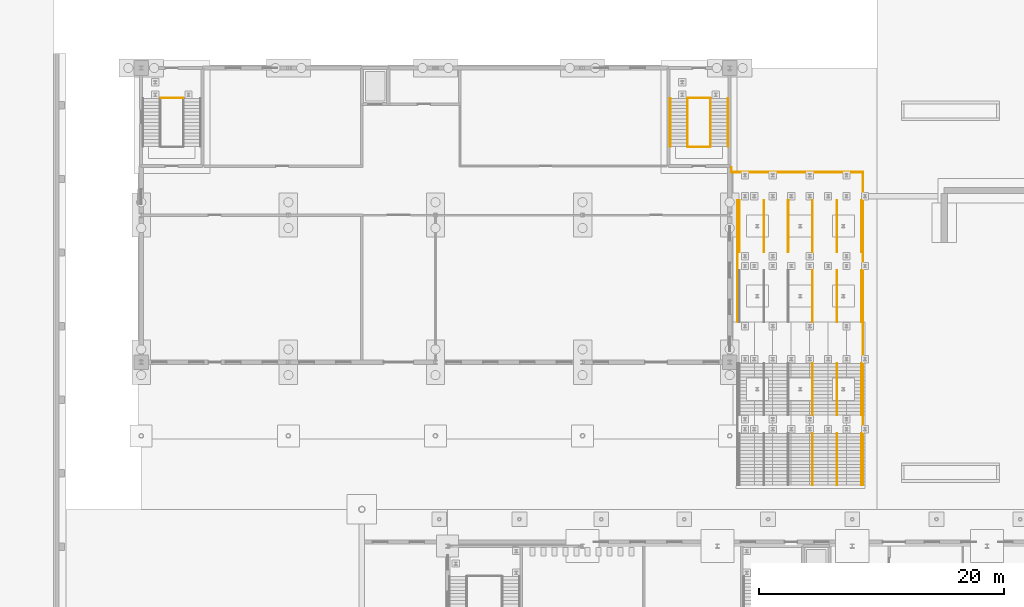
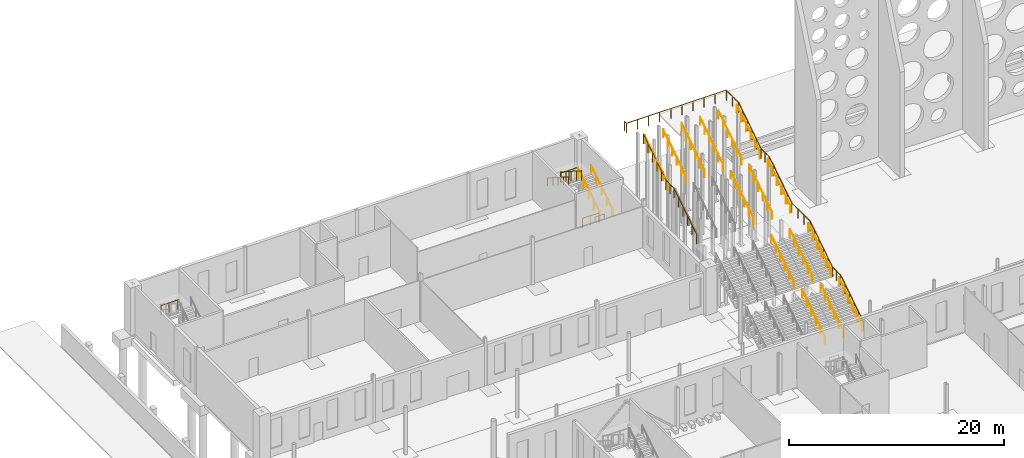
# One storey, part 126 of 132: 25 railings.
"""IFC4 building model written with IfcOpenShell, lengths in metres."""

from ifc_helpers import new_model, si_unit, direction, frame, origin, origin_2d, place, context, subcontext, project, spatial, circle, extrude, material, type_object, element, save


model = new_model("IFC4")

# Units and contexts
model_context = context("Model", 3, precision=1e-05, world=origin(), true_north=direction((0.0, 1.0)))
body_context = subcontext(model_context, "Body", "Model", "MODEL_VIEW")
ifc_project = project(units=[si_unit("LENGTHUNIT", "METRE"), si_unit("AREAUNIT", "SQUARE_METRE"), si_unit("VOLUMEUNIT", "CUBIC_METRE"), si_unit("PLANEANGLEUNIT", "RADIAN"), si_unit("MASSUNIT", "GRAM", prefix="KILO")], contexts=[model_context])

# Site, building, storey
site_placement = place(None, origin())
site = spatial("IfcSite", under=ifc_project, at=site_placement, CompositionType="ELEMENT")
building_placement = place(site_placement, origin())
building = spatial("IfcBuilding", under=site, at=building_placement, Name="Ravi Spectrum Wholesale Market", CompositionType="ELEMENT")
storey_placement = place(building_placement, origin())
storey = spatial("IfcBuildingStorey", under=building, at=storey_placement, Name="L00", CompositionType="ELEMENT", Elevation=0.0)

# Railings
ifc_material_1 = material(Name="Steel S355", Category="steel")
railing_type_1 = type_object("IfcRailingType", Name="Guard 1100", PredefinedType="GUARDRAIL", material=ifc_material_1)
railing_1_placement = place(storey_placement, frame((70.885009765625, 225.449951171875, 10.800048828125)))
element("IfcRailing", 1, at=railing_1_placement, inside=storey, type_object=railing_type_1, Name="GW-RL-L00-001", PredefinedType="GUARDRAIL", context=body_context, shape_type="SweptSolid", body=[
    extrude(circle(Radius=0.02392578125, at=origin_2d()), frame((0.0, 0.0, 1.076171875), z_axis=(0.0, -1.0, 0.0), x_axis=(1.0, 0.0, 0.0)), (0.0, 0.0, 1.0), 2.25),
    extrude(circle(Radius=0.02392578125, at=origin_2d()), frame((0.0, -2.25, 1.076171875), z_axis=(0.0, -0.841180064094, -0.540755119968), x_axis=(1.0, 0.0, 0.0)), (0.0, 0.0, 1.0), 4.992919921875),
    extrude(circle(Radius=0.02392578125, at=origin_2d()), frame((0.0, -6.449951171875, -1.6240234375), z_axis=(0.0, -1.0, 0.0), x_axis=(1.0, 0.0, 0.0)), (0.0, 0.0, 1.0), 1.5),
    extrude(circle(Radius=0.02392578125, at=origin_2d()), frame((0.0, -7.949951171875, -1.6240234375), z_axis=(0.0, -0.841157821942, -0.54078971753), x_axis=(1.0, 0.0, 0.0)), (0.0, 0.0, 1.0), 4.9931640625),
    extrude(circle(Radius=0.02392578125, at=origin_2d()), frame((0.0, -12.14990234375, -4.32421875), z_axis=(0.0, -1.0, 0.0), x_axis=(1.0, 0.0, 0.0)), (0.0, 0.0, 1.0), 3.400146484375),
    extrude(circle(Radius=0.02392578125, at=origin_2d()), frame((0.0, -15.550048828125, -4.32421875), z_axis=(0.0, -0.841180064094, -0.540755119968), x_axis=(1.0, 0.0, 0.0)), (0.0, 0.0, 1.0), 4.992919921875),
    extrude(circle(Radius=0.02392578125, at=origin_2d()), frame((0.0, -19.75, -7.02392578125), z_axis=(0.0, -1.0, 0.0), x_axis=(1.0, 0.0, 0.0)), (0.0, 0.0, 1.0), 1.5),
    extrude(circle(Radius=0.02392578125, at=origin_2d()), frame((0.0, -21.25, -7.02392578125), z_axis=(0.0, -0.841180064094, -0.540755119968), x_axis=(1.0, 0.0, 0.0)), (0.0, 0.0, 1.0), 4.992919921875),
    extrude(circle(Radius=0.02099609375, at=origin_2d()), origin(), (0.0, 0.0, 1.0), 1.052001953125),
    extrude(circle(Radius=0.02099609375, at=origin_2d()), frame((0.0, -1.125, 0.0)), (0.0, 0.0, 1.0), 1.052001953125),
    extrude(circle(Radius=0.02099609375, at=origin_2d()), frame((0.0, -2.25, 0.0)), (0.0, 0.0, 1.0), 1.052001953125),
    extrude(circle(Radius=0.02099609375, at=origin_2d()), frame((0.0, -3.090087890625, -0.5400390625)), (0.0, 0.0, 1.0), 1.052001953125),
    extrude(circle(Radius=0.02099609375, at=origin_2d()), frame((0.0, -3.929931640625, -1.080078125)), (0.0, 0.0, 1.0), 1.052001953125),
    extrude(circle(Radius=0.02099609375, at=origin_2d()), frame((0.0, -4.77001953125, -1.619873046875)), (0.0, 0.0, 1.0), 1.052001953125),
    extrude(circle(Radius=0.02099609375, at=origin_2d()), frame((0.0, -5.60986328125, -2.159912109375)), (0.0, 0.0, 1.0), 1.052001953125),
    extrude(circle(Radius=0.02099609375, at=origin_2d()), frame((0.0, -6.449951171875, -2.699951171875)), (0.0, 0.0, 1.0), 1.052001953125),
    extrude(circle(Radius=0.02099609375, at=origin_2d()), frame((0.0, -7.199951171875, -2.699951171875)), (0.0, 0.0, 1.0), 1.052001953125),
    extrude(circle(Radius=0.02099609375, at=origin_2d()), frame((0.0, -7.949951171875, -2.699951171875)), (0.0, 0.0, 1.0), 1.052001953125),
    extrude(circle(Radius=0.02099609375, at=origin_2d()), frame((0.0, -8.7900390625, -3.239990234375)), (0.0, 0.0, 1.0), 1.052001953125),
    extrude(circle(Radius=0.02099609375, at=origin_2d()), frame((0.0, -9.6298828125, -3.780029296875)), (0.0, 0.0, 1.0), 1.052001953125),
    extrude(circle(Radius=0.02099609375, at=origin_2d()), frame((0.0, -10.469970703125, -4.320068359375)), (0.0, 0.0, 1.0), 1.052001953125),
    extrude(circle(Radius=0.02099609375, at=origin_2d()), frame((0.0, -11.309814453125, -4.860107421875)), (0.0, 0.0, 1.0), 1.052001953125),
    extrude(circle(Radius=0.02099609375, at=origin_2d()), frame((0.0, -12.14990234375, -5.400146484375)), (0.0, 0.0, 1.0), 1.052001953125),
    extrude(circle(Radius=0.02099609375, at=origin_2d()), frame((0.0, -13.283203125, -5.400146484375)), (0.0, 0.0, 1.0), 1.052001953125),
    extrude(circle(Radius=0.02099609375, at=origin_2d()), frame((0.0, -14.416748046875, -5.400146484375)), (0.0, 0.0, 1.0), 1.052001953125),
    extrude(circle(Radius=0.02099609375, at=origin_2d()), frame((0.0, -15.550048828125, -5.400146484375)), (0.0, 0.0, 1.0), 1.052001953125),
    extrude(circle(Radius=0.02099609375, at=origin_2d()), frame((0.0, -16.39013671875, -5.940185546875)), (0.0, 0.0, 1.0), 1.052001953125),
    extrude(circle(Radius=0.02099609375, at=origin_2d()), frame((0.0, -17.22998046875, -6.480224609375)), (0.0, 0.0, 1.0), 1.052001953125),
    extrude(circle(Radius=0.02099609375, at=origin_2d()), frame((0.0, -18.070068359375, -7.02001953125)), (0.0, 0.0, 1.0), 1.052001953125),
    extrude(circle(Radius=0.02099609375, at=origin_2d()), frame((0.0, -18.909912109375, -7.56005859375)), (0.0, 0.0, 1.0), 1.052001953125),
    extrude(circle(Radius=0.02099609375, at=origin_2d()), frame((0.0, -19.75, -8.10009765625)), (0.0, 0.0, 1.0), 1.052001953125),
    extrude(circle(Radius=0.02099609375, at=origin_2d()), frame((0.0, -20.5, -8.10009765625)), (0.0, 0.0, 1.0), 1.052001953125),
    extrude(circle(Radius=0.02099609375, at=origin_2d()), frame((0.0, -21.25, -8.10009765625)), (0.0, 0.0, 1.0), 1.052001953125),
    extrude(circle(Radius=0.02099609375, at=origin_2d()), frame((0.0, -22.090087890625, -8.64013671875)), (0.0, 0.0, 1.0), 1.052001953125),
    extrude(circle(Radius=0.02099609375, at=origin_2d()), frame((0.0, -22.929931640625, -9.18017578125)), (0.0, 0.0, 1.0), 1.052001953125),
    extrude(circle(Radius=0.02099609375, at=origin_2d()), frame((0.0, -23.77001953125, -9.719970703125)), (0.0, 0.0, 1.0), 1.052001953125),
    extrude(circle(Radius=0.02099609375, at=origin_2d()), frame((0.0, -24.60986328125, -10.260009765625)), (0.0, 0.0, 1.0), 1.052001953125),
    extrude(circle(Radius=0.02099609375, at=origin_2d()), frame((0.0, -25.449951171875, -10.800048828125)), (0.0, 0.0, 1.0), 1.052001953125),
])
railing_2_placement = place(storey_placement, frame((70.885009765625, 225.5, 10.800048828125)))
element("IfcRailing", 2, at=railing_2_placement, inside=storey, type_object=railing_type_1, Name="GW-RL-L00-002", PredefinedType="GUARDRAIL", context=body_context, shape_type="SweptSolid", body=[
    extrude(circle(Radius=0.02392578125, at=origin_2d()), frame((0.0, 0.0, 1.076171875), z_axis=(-1.0, 0.0, 0.0), x_axis=(0.0, -1.0, 0.0)), (0.0, 0.0, 1.0), 10.735107421875),
    extrude(circle(Radius=0.02392578125, at=origin_2d()), frame((-10.735107421875, 0.0, 1.076171875), z_axis=(0.0, 1.0, 0.0), x_axis=(-1.0, 0.0, 0.0)), (0.0, 0.0, 1.0), 0.375),
    extrude(circle(Radius=0.02099609375, at=origin_2d()), origin(), (0.0, 0.0, 1.0), 1.052001953125),
    extrude(circle(Radius=0.02099609375, at=origin_2d()), frame((-1.19287109375, 0.0, 0.0)), (0.0, 0.0, 1.0), 1.052001953125),
    extrude(circle(Radius=0.02099609375, at=origin_2d()), frame((-2.385498046875, 0.0, 0.0)), (0.0, 0.0, 1.0), 1.052001953125),
    extrude(circle(Radius=0.02099609375, at=origin_2d()), frame((-3.578369140625, 0.0, 0.0)), (0.0, 0.0, 1.0), 1.052001953125),
    extrude(circle(Radius=0.02099609375, at=origin_2d()), frame((-4.771240234375, 0.0, 0.0)), (0.0, 0.0, 1.0), 1.052001953125),
    extrude(circle(Radius=0.02099609375, at=origin_2d()), frame((-5.9638671875, 0.0, 0.0)), (0.0, 0.0, 1.0), 1.052001953125),
    extrude(circle(Radius=0.02099609375, at=origin_2d()), frame((-7.15673828125, 0.0, 0.0)), (0.0, 0.0, 1.0), 1.052001953125),
    extrude(circle(Radius=0.02099609375, at=origin_2d()), frame((-8.349609375, 0.0, 0.0)), (0.0, 0.0, 1.0), 1.052001953125),
    extrude(circle(Radius=0.02099609375, at=origin_2d()), frame((-9.542236328125, 0.0, 0.0)), (0.0, 0.0, 1.0), 1.052001953125),
    extrude(circle(Radius=0.02099609375, at=origin_2d()), frame((-10.735107421875, 0.0, 0.0)), (0.0, 0.0, 1.0), 1.052001953125),
    extrude(circle(Radius=0.02099609375, at=origin_2d()), frame((-10.735107421875, 0.375, 0.0)), (0.0, 0.0, 1.0), 1.052001953125),
])
railing_3_placement = place(storey_placement, frame((60.64990234375, 213.300048828125, 5.39990234375)))
element("IfcRailing", 3, at=railing_3_placement, inside=storey, type_object=railing_type_1, Name="GW-RL-L00-004", PredefinedType="GUARDRAIL", context=body_context, shape_type="SweptSolid", body=[
    extrude(circle(Radius=0.02392578125, at=origin_2d()), frame((0.0, 0.0, 1.076171875), z_axis=(0.0, 0.841157821942, 0.54078971753), x_axis=(-1.0, 0.0, 0.0)), (0.0, 0.0, 1.0), 4.9931640625),
    extrude(circle(Radius=0.02392578125, at=origin_2d()), frame((0.0, 4.199951171875, 3.7763671875), z_axis=(0.0, 1.0, 0.0), x_axis=(-1.0, 0.0, 0.0)), (0.0, 0.0, 1.0), 1.5),
    extrude(circle(Radius=0.02392578125, at=origin_2d()), frame((0.0, 5.699951171875, 3.7763671875), z_axis=(0.0, 0.841180064094, 0.540755119968), x_axis=(-1.0, 0.0, 0.0)), (0.0, 0.0, 1.0), 4.992919921875),
    extrude(circle(Radius=0.02099609375, at=origin_2d()), origin(), (0.0, 0.0, 1.0), 1.052001953125),
    extrude(circle(Radius=0.02099609375, at=origin_2d()), frame((0.0, 0.840087890625, 0.5400390625)), (0.0, 0.0, 1.0), 1.052001953125),
    extrude(circle(Radius=0.02099609375, at=origin_2d()), frame((0.0, 1.679931640625, 1.080078125)), (0.0, 0.0, 1.0), 1.052001953125),
    extrude(circle(Radius=0.02099609375, at=origin_2d()), frame((0.0, 2.52001953125, 1.6201171875)), (0.0, 0.0, 1.0), 1.052001953125),
    extrude(circle(Radius=0.02099609375, at=origin_2d()), frame((0.0, 3.35986328125, 2.16015625)), (0.0, 0.0, 1.0), 1.052001953125),
    extrude(circle(Radius=0.02099609375, at=origin_2d()), frame((0.0, 4.199951171875, 2.7001953125)), (0.0, 0.0, 1.0), 1.052001953125),
    extrude(circle(Radius=0.02099609375, at=origin_2d()), frame((0.0, 4.949951171875, 2.7001953125)), (0.0, 0.0, 1.0), 1.052001953125),
    extrude(circle(Radius=0.02099609375, at=origin_2d()), frame((0.0, 5.699951171875, 2.7001953125)), (0.0, 0.0, 1.0), 1.052001953125),
    extrude(circle(Radius=0.02099609375, at=origin_2d()), frame((0.0, 6.5400390625, 3.240234375)), (0.0, 0.0, 1.0), 1.052001953125),
    extrude(circle(Radius=0.02099609375, at=origin_2d()), frame((0.0, 7.3798828125, 3.7802734375)), (0.0, 0.0, 1.0), 1.052001953125),
    extrude(circle(Radius=0.02099609375, at=origin_2d()), frame((0.0, 8.219970703125, 4.320068359375)), (0.0, 0.0, 1.0), 1.052001953125),
    extrude(circle(Radius=0.02099609375, at=origin_2d()), frame((0.0, 9.059814453125, 4.860107421875)), (0.0, 0.0, 1.0), 1.052001953125),
    extrude(circle(Radius=0.02099609375, at=origin_2d()), frame((0.0, 9.89990234375, 5.400146484375)), (0.0, 0.0, 1.0), 1.052001953125),
])
railing_4_placement = place(storey_placement, frame((15.39990234375, 231.570068359375, 2.699951171875)))
element("IfcRailing", 4, at=railing_4_placement, inside=storey, type_object=railing_type_1, Name="L00 S-OF-1 stair guard 2", PredefinedType="GUARDRAIL", context=body_context, shape_type="SweptSolid", body=[
    extrude(circle(Radius=0.02392578125, at=origin_2d()), frame((0.0, 0.0, 1.076171875), z_axis=(-1.0, 0.0, 0.0), x_axis=(0.0, -1.0, 0.0)), (0.0, 0.0, 1.0), 1.7998046875),
    extrude(circle(Radius=0.02099609375, at=origin_2d()), origin(), (0.0, 0.0, 1.0), 1.052001953125),
    extrude(circle(Radius=0.02099609375, at=origin_2d()), frame((-0.89990234375, 0.0, 0.0)), (0.0, 0.0, 1.0), 1.052001953125),
    extrude(circle(Radius=0.02099609375, at=origin_2d()), frame((-1.7998046875, 0.0, 0.0)), (0.0, 0.0, 1.0), 1.052001953125),
])
railing_5_placement = place(storey_placement, frame((58.449951171875, 227.60009765625, 0.179931640625)))
element("IfcRailing", 5, at=railing_5_placement, inside=storey, type_object=railing_type_1, Name="L00 S-OF-2 stair guard 1", PredefinedType="GUARDRAIL", context=body_context, shape_type="SweptSolid", body=[
    extrude(circle(Radius=0.02392578125, at=origin_2d()), frame((0.0, 0.0, 1.076171875), z_axis=(0.0, 0.841171666519, 0.540768182723), x_axis=(-1.0, 0.0, 0.0)), (0.0, 0.0, 1.0), 4.66015625),
    extrude(circle(Radius=0.02099609375, at=origin_2d()), origin(), (0.0, 0.0, 1.0), 1.052001953125),
    extrude(circle(Radius=0.02099609375, at=origin_2d()), frame((0.0, 0.97998046875, 0.6298828125)), (0.0, 0.0, 1.0), 1.052001953125),
    extrude(circle(Radius=0.02099609375, at=origin_2d()), frame((0.0, 1.9599609375, 1.260009765625)), (0.0, 0.0, 1.0), 1.052001953125),
    extrude(circle(Radius=0.02099609375, at=origin_2d()), frame((0.0, 2.93994140625, 1.89013671875)), (0.0, 0.0, 1.0), 1.052001953125),
    extrude(circle(Radius=0.02099609375, at=origin_2d()), frame((0.0, 3.919921875, 2.52001953125)), (0.0, 0.0, 1.0), 1.052001953125),
])
railing_6_placement = place(storey_placement, frame((58.39990234375, 231.570068359375, 2.699951171875)))
element("IfcRailing", 6, at=railing_6_placement, inside=storey, type_object=railing_type_1, Name="L00 S-OF-2 stair guard 2", PredefinedType="GUARDRAIL", context=body_context, shape_type="SweptSolid", body=[
    extrude(circle(Radius=0.02392578125, at=origin_2d()), frame((0.0, 0.0, 1.076171875), z_axis=(-1.0, 0.0, 0.0), x_axis=(0.0, -1.0, 0.0)), (0.0, 0.0, 1.0), 1.7998046875),
    extrude(circle(Radius=0.02099609375, at=origin_2d()), origin(), (0.0, 0.0, 1.0), 1.052001953125),
    extrude(circle(Radius=0.02099609375, at=origin_2d()), frame((-0.89990234375, 0.0, 0.0)), (0.0, 0.0, 1.0), 1.052001953125),
    extrude(circle(Radius=0.02099609375, at=origin_2d()), frame((-1.7998046875, 0.0, 0.0)), (0.0, 0.0, 1.0), 1.052001953125),
])
railing_7_placement = place(storey_placement, frame((56.550048828125, 231.52001953125, 2.8798828125)))
element("IfcRailing", 7, at=railing_7_placement, inside=storey, type_object=railing_type_1, Name="L00 S-OF-2 stair guard 3", PredefinedType="GUARDRAIL", context=body_context, shape_type="SweptSolid", body=[
    extrude(circle(Radius=0.02392578125, at=origin_2d()), frame((0.0, 0.0, 1.076171875), z_axis=(0.0, -0.841171666519, 0.540768182723), x_axis=(1.0, 0.0, 0.0)), (0.0, 0.0, 1.0), 4.66015625),
    extrude(circle(Radius=0.02099609375, at=origin_2d()), origin(), (0.0, 0.0, 1.0), 1.052001953125),
    extrude(circle(Radius=0.02099609375, at=origin_2d()), frame((0.0, -0.97998046875, 0.6298828125)), (0.0, 0.0, 1.0), 1.052001953125),
    extrude(circle(Radius=0.02099609375, at=origin_2d()), frame((0.0, -1.9599609375, 1.260009765625)), (0.0, 0.0, 1.0), 1.052001953125),
    extrude(circle(Radius=0.02099609375, at=origin_2d()), frame((0.0, -2.93994140625, 1.89013671875)), (0.0, 0.0, 1.0), 1.052001953125),
    extrude(circle(Radius=0.02099609375, at=origin_2d()), frame((0.0, -3.919921875, 2.52001953125)), (0.0, 0.0, 1.0), 1.052001953125),
])
railing_8_placement = place(storey_placement, frame((58.39990234375, 227.550048828125, 0.0)))
element("IfcRailing", 8, at=railing_8_placement, inside=storey, type_object=railing_type_1, Name="L00 S-OF-2 stair guard 4", PredefinedType="GUARDRAIL", context=body_context, shape_type="SweptSolid", body=[
    extrude(circle(Radius=0.02392578125, at=origin_2d()), frame((0.0, 0.0, 1.076171875), z_axis=(-1.0, 0.0, 0.0), x_axis=(0.0, -1.0, 0.0)), (0.0, 0.0, 1.0), 1.7998046875),
    extrude(circle(Radius=0.02099609375, at=origin_2d()), origin(), (0.0, 0.0, 1.0), 1.052001953125),
    extrude(circle(Radius=0.02099609375, at=origin_2d()), frame((-0.89990234375, 0.0, 0.0)), (0.0, 0.0, 1.0), 1.052001953125),
    extrude(circle(Radius=0.02099609375, at=origin_2d()), frame((-1.7998046875, 0.0, 0.0)), (0.0, 0.0, 1.0), 1.052001953125),
])
ifc_material_2 = material(Name="Stainless steel", Category="steel")
railing_type_2 = type_object("IfcRailingType", Name="Handrail 900", PredefinedType="HANDRAIL", material=ifc_material_2)
for number, where, name in (
    (9, (66.760986328125, 200.0, 0.0), "GW-RL-L00-008"),
    (10, (68.748046875, 200.0, 0.0), "GW-RL-L00-009"),
    (11, (70.735107421875, 200.0, 0.0), "GW-RL-L00-010"),
    (12, (66.760986328125, 205.699951171875, 2.699951171875), "GW-RL-L00-014"),
    (13, (68.748046875, 205.699951171875, 2.699951171875), "GW-RL-L00-015"),
    (14, (70.735107421875, 205.699951171875, 2.699951171875), "GW-RL-L00-016"),
):
    element("IfcRailing", number, at=place(storey_placement, frame(where)), inside=storey, type_object=railing_type_2, Name=name, PredefinedType="HANDRAIL", context=body_context, shape_type="SweptSolid", body=[
        extrude(circle(Radius=0.02392578125, at=origin_2d()), frame((0.0, 0.0, 0.8759765625), z_axis=(0.0, 0.841180064094, 0.540755119968), x_axis=(-1.0, 0.0, 0.0)), (0.0, 0.0, 1.0), 4.992919921875),
        extrude(circle(Radius=0.02099609375, at=origin_2d()), origin(), (0.0, 0.0, 1.0), 0.851806640625),
        extrude(circle(Radius=0.02099609375, at=origin_2d()), frame((0.0, 0.840087890625, 0.5400390625)), (0.0, 0.0, 1.0), 0.851806640625),
        extrude(circle(Radius=0.02099609375, at=origin_2d()), frame((0.0, 1.679931640625, 1.080078125)), (0.0, 0.0, 1.0), 0.851806640625),
        extrude(circle(Radius=0.02099609375, at=origin_2d()), frame((0.0, 2.52001953125, 1.619873046875)), (0.0, 0.0, 1.0), 0.851806640625),
        extrude(circle(Radius=0.02099609375, at=origin_2d()), frame((0.0, 3.35986328125, 2.159912109375)), (0.0, 0.0, 1.0), 0.851806640625),
        extrude(circle(Radius=0.02099609375, at=origin_2d()), frame((0.0, 4.199951171875, 2.699951171875)), (0.0, 0.0, 1.0), 0.851806640625),
    ])
for number, where, name in (
    (15, (66.760986328125, 213.300048828125, 5.39990234375), "GW-RL-L00-020"),
    (16, (68.748046875, 213.300048828125, 5.39990234375), "GW-RL-L00-021"),
    (17, (70.735107421875, 213.300048828125, 5.39990234375), "GW-RL-L00-022"),
):
    element("IfcRailing", number, at=place(storey_placement, frame(where)), inside=storey, type_object=railing_type_2, Name=name, PredefinedType="HANDRAIL", context=body_context, shape_type="SweptSolid", body=[
        extrude(circle(Radius=0.02392578125, at=origin_2d()), frame((0.0, 0.0, 0.8759765625), z_axis=(0.0, 0.841157821942, 0.54078971753), x_axis=(-1.0, 0.0, 0.0)), (0.0, 0.0, 1.0), 4.9931640625),
        extrude(circle(Radius=0.02099609375, at=origin_2d()), origin(), (0.0, 0.0, 1.0), 0.851806640625),
        extrude(circle(Radius=0.02099609375, at=origin_2d()), frame((0.0, 0.840087890625, 0.5400390625)), (0.0, 0.0, 1.0), 0.851806640625),
        extrude(circle(Radius=0.02099609375, at=origin_2d()), frame((0.0, 1.679931640625, 1.080078125)), (0.0, 0.0, 1.0), 0.851806640625),
        extrude(circle(Radius=0.02099609375, at=origin_2d()), frame((0.0, 2.52001953125, 1.6201171875)), (0.0, 0.0, 1.0), 0.851806640625),
        extrude(circle(Radius=0.02099609375, at=origin_2d()), frame((0.0, 3.35986328125, 2.16015625)), (0.0, 0.0, 1.0), 0.851806640625),
        extrude(circle(Radius=0.02099609375, at=origin_2d()), frame((0.0, 4.199951171875, 2.7001953125)), (0.0, 0.0, 1.0), 0.851806640625),
    ])
for number, where, name in (
    (18, (60.800048828125, 219.0, 8.10009765625), "GW-RL-L00-023"),
    (19, (62.787109375, 219.0, 8.10009765625), "GW-RL-L00-024"),
    (20, (64.77392578125, 219.0, 8.10009765625), "GW-RL-L00-025"),
    (21, (66.760986328125, 219.0, 8.10009765625), "GW-RL-L00-026"),
    (22, (68.748046875, 219.0, 8.10009765625), "GW-RL-L00-027"),
    (23, (70.735107421875, 219.0, 8.10009765625), "GW-RL-L00-028"),
):
    element("IfcRailing", number, at=place(storey_placement, frame(where)), inside=storey, type_object=railing_type_2, Name=name, PredefinedType="HANDRAIL", context=body_context, shape_type="SweptSolid", body=[
        extrude(circle(Radius=0.02392578125, at=origin_2d()), frame((0.0, 0.0, 0.8759765625), z_axis=(0.0, 0.841180064094, 0.540755119968), x_axis=(-1.0, 0.0, 0.0)), (0.0, 0.0, 1.0), 4.992919921875),
        extrude(circle(Radius=0.02099609375, at=origin_2d()), origin(), (0.0, 0.0, 1.0), 0.851806640625),
        extrude(circle(Radius=0.02099609375, at=origin_2d()), frame((0.0, 0.840087890625, 0.5400390625)), (0.0, 0.0, 1.0), 0.851806640625),
        extrude(circle(Radius=0.02099609375, at=origin_2d()), frame((0.0, 1.679931640625, 1.080078125)), (0.0, 0.0, 1.0), 0.851806640625),
        extrude(circle(Radius=0.02099609375, at=origin_2d()), frame((0.0, 2.52001953125, 1.619873046875)), (0.0, 0.0, 1.0), 0.851806640625),
        extrude(circle(Radius=0.02099609375, at=origin_2d()), frame((0.0, 3.35986328125, 2.159912109375)), (0.0, 0.0, 1.0), 0.851806640625),
        extrude(circle(Radius=0.02099609375, at=origin_2d()), frame((0.0, 4.199951171875, 2.699951171875)), (0.0, 0.0, 1.0), 0.851806640625),
    ])
railing_9_placement = place(storey_placement, frame((59.85009765625, 227.60009765625, 0.179931640625)))
element("IfcRailing", 24, at=railing_9_placement, inside=storey, type_object=railing_type_2, Name="L00 S-OF-2 stair handrail 1", PredefinedType="HANDRAIL", context=body_context, shape_type="SweptSolid", body=[
    extrude(circle(Radius=0.02392578125, at=origin_2d()), frame((0.0, 0.0, 0.8759765625), z_axis=(0.0, 0.841171666519, 0.540768182723), x_axis=(-1.0, 0.0, 0.0)), (0.0, 0.0, 1.0), 4.66015625),
    extrude(circle(Radius=0.02099609375, at=origin_2d()), origin(), (0.0, 0.0, 1.0), 0.851806640625),
    extrude(circle(Radius=0.02099609375, at=origin_2d()), frame((0.0, 0.97998046875, 0.6298828125)), (0.0, 0.0, 1.0), 0.851806640625),
    extrude(circle(Radius=0.02099609375, at=origin_2d()), frame((0.0, 1.9599609375, 1.260009765625)), (0.0, 0.0, 1.0), 0.851806640625),
    extrude(circle(Radius=0.02099609375, at=origin_2d()), frame((0.0, 2.93994140625, 1.89013671875)), (0.0, 0.0, 1.0), 0.851806640625),
    extrude(circle(Radius=0.02099609375, at=origin_2d()), frame((0.0, 3.919921875, 2.52001953125)), (0.0, 0.0, 1.0), 0.851806640625),
])
railing_10_placement = place(storey_placement, frame((55.14990234375, 231.52001953125, 2.8798828125)))
element("IfcRailing", 25, at=railing_10_placement, inside=storey, type_object=railing_type_2, Name="L00 S-OF-2 stair handrail 2", PredefinedType="HANDRAIL", context=body_context, shape_type="SweptSolid", body=[
    extrude(circle(Radius=0.02392578125, at=origin_2d()), frame((0.0, 0.0, 0.8759765625), z_axis=(0.0, -0.841171666519, 0.540768182723), x_axis=(1.0, 0.0, 0.0)), (0.0, 0.0, 1.0), 4.66015625),
    extrude(circle(Radius=0.02099609375, at=origin_2d()), origin(), (0.0, 0.0, 1.0), 0.851806640625),
    extrude(circle(Radius=0.02099609375, at=origin_2d()), frame((0.0, -0.97998046875, 0.6298828125)), (0.0, 0.0, 1.0), 0.851806640625),
    extrude(circle(Radius=0.02099609375, at=origin_2d()), frame((0.0, -1.9599609375, 1.260009765625)), (0.0, 0.0, 1.0), 0.851806640625),
    extrude(circle(Radius=0.02099609375, at=origin_2d()), frame((0.0, -2.93994140625, 1.89013671875)), (0.0, 0.0, 1.0), 0.851806640625),
    extrude(circle(Radius=0.02099609375, at=origin_2d()), frame((0.0, -3.919921875, 2.52001953125)), (0.0, 0.0, 1.0), 0.851806640625),
])

save(model, "model.ifc")
